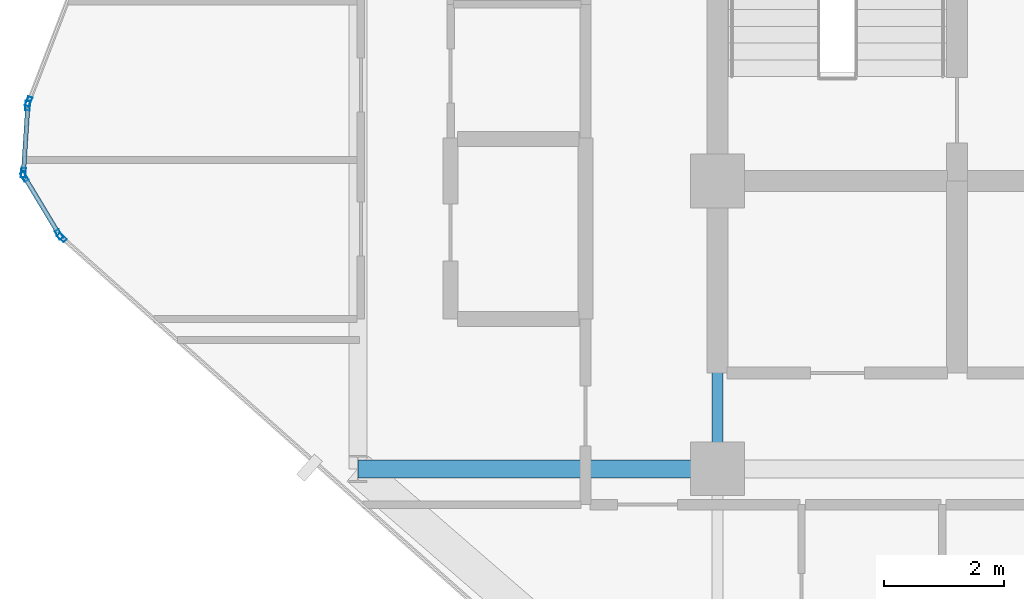
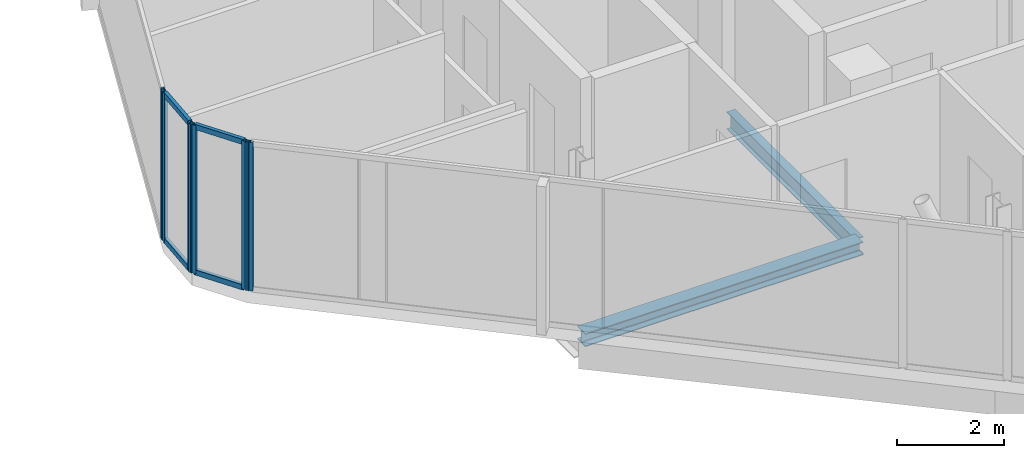
# One storey, part 8 of 29: 10 members, 2 beams, 4 elements without a shape of their own.
"""IFC4 building model written with IfcOpenShell, lengths in metres."""

from ifc_helpers import new_model, si_unit, direction, frame, origin, origin_2d, place, context, subcontext, project, spatial, hollow_rectangle, i_section, extrude, material, layer, layer_set, material_profile, profile_set, type_object, element, aggregate, save


model = new_model("IFC4")

# Units and contexts
model_context = context("Model", 3, precision=1e-05, world=origin(), true_north=direction((0.0, 1.0)))
body_context = subcontext(model_context, "Body", "Model", "MODEL_VIEW")
ifc_project = project(units=[si_unit("LENGTHUNIT", "METRE"), si_unit("AREAUNIT", "SQUARE_METRE"), si_unit("VOLUMEUNIT", "CUBIC_METRE"), si_unit("PLANEANGLEUNIT", "RADIAN"), si_unit("MASSUNIT", "GRAM", prefix="KILO")], contexts=[model_context])

# Site, building, storey
site_placement = place(None, origin())
site = spatial("IfcSite", under=ifc_project, at=site_placement, CompositionType="ELEMENT")
building_placement = place(site_placement, origin())
building = spatial("IfcBuilding", under=site, at=building_placement, Name="Keshet Zoharim Tower", CompositionType="ELEMENT")
storey_placement = place(building_placement, frame((0.0, 0.0, 172.800048828125)))
storey = spatial("IfcBuildingStorey", under=building, at=storey_placement, Name="L42", CompositionType="ELEMENT", Elevation=172.800048828125)

# Beams
ifc_material_1 = material(Name="Steel S355", Category="steel")
ifc_material_profile_1 = material_profile(ifc_material_1, i_section(OverallWidth=0.300048828125, OverallDepth=0.300048828125, WebThickness=0.010986328125, FlangeThickness=0.01904296875, FilletRadius=0.027099609375, at=origin_2d()), Name="HEB300")
ifc_profile_set_1 = profile_set([ifc_material_profile_1], Name="Steel S355")
beam_type_1 = type_object("IfcBeamType", Name="BM-PRI-HB300", PredefinedType="BEAM", material=ifc_profile_set_1)
beam_1_placement = place(storey_placement, frame((9.0, 17.89990234375, -0.4599609375), z_axis=(1.0, 0.0, 0.0), x_axis=(0.0, 1.0, 0.0)))
element("IfcBeam", 1, at=beam_1_placement, inside=storey, type_object=beam_type_1, Name="L42 Primary Girder X-011", PredefinedType="BEAM", context=body_context, shape_type="SweptSolid", body=[
    extrude(i_section(OverallWidth=0.300048828125, OverallDepth=0.300048828125, WebThickness=0.010986328125, FlangeThickness=0.01904296875, FilletRadius=0.027099609375, at=origin_2d()), origin(), (0.0, 0.0, 1.0), 6.0),
])
ifc_material_profile_2 = material_profile(ifc_material_1, i_section(OverallWidth=0.179931640625, OverallDepth=0.39990234375, WebThickness=0.008544921875, FlangeThickness=0.013427734375, FilletRadius=0.02099609375, at=origin_2d()), Name="IPE400")
ifc_profile_set_2 = profile_set([ifc_material_profile_2], Name="Steel S355")
beam_type_2 = type_object("IfcBeamType", Name="BM-PRI-IP400", PredefinedType="BEAM", material=ifc_profile_set_2)
beam_2_placement = place(storey_placement, frame((15.0, 17.89990234375, -0.510009765625), z_axis=(0.0, 1.0, 0.0), x_axis=(-1.0, 0.0, 0.0)))
element("IfcBeam", 2, at=beam_2_placement, inside=storey, type_object=beam_type_2, Name="L42 Primary Girder Y-003", PredefinedType="BEAM", context=body_context, shape_type="SweptSolid", body=[
    extrude(i_section(OverallWidth=0.179931640625, OverallDepth=0.39990234375, WebThickness=0.008544921875, FlangeThickness=0.013427734375, FilletRadius=0.02099609375, at=origin_2d()), origin(), (0.0, 0.0, 1.0), 4.800048828125),
])

# Curtain wall, member
ifc_material_2 = material(Name="Aluminium 6063-T6", Category="aluminium")
ifc_layer = layer(ifc_material_2, 0.139892578125)
ifc_layer_set = layer_set([ifc_layer], Name="Aluminium 6063-T6")
curtain_wall_type = type_object("IfcCurtainWallType", Name="CW-SYS-05", PredefinedType="NOTDEFINED", material=ifc_layer_set)
curtain_wall_1_placement = place(storey_placement, origin())
curtain_wall_1 = element("IfcCurtainWall", 3, at=curtain_wall_1_placement, inside=storey, type_object=curtain_wall_type, Name="L42 Unitised Curtain Wall 10 Part 3", PredefinedType="NOTDEFINED")
ifc_material_profile_3 = material_profile(ifc_material_2, hollow_rectangle(XDim=0.074951171875, YDim=0.159912109375, WallThickness=0.00390625, at=origin_2d()), Name="MUL-75x160")
ifc_profile_set_3 = profile_set([ifc_material_profile_3], Name="Aluminium 6063-T6")
member_type_1 = type_object("IfcMemberType", Name="CWM-M15", PredefinedType="MULLION", material=ifc_profile_set_3)
member_1_placement = place(storey_placement, frame((4.061279296875, 21.7568359375, 0.0), z_axis=(0.0, 0.0, 1.0), x_axis=(-0.664366823013, -0.747406666066, 0.0)))
member_1 = element("IfcMember", 4, at=member_1_placement, type_object=member_type_1, Name="CW-05 mullion 2", PredefinedType="MULLION", context=body_context, shape_type="SweptSolid", body=[
    extrude(hollow_rectangle(XDim=0.074951171875, YDim=0.159912109375, WallThickness=0.00390625, at=origin_2d()), origin(), (0.0, 0.0, 1.0), 3.389892578125),
])
aggregate(curtain_wall_1, [member_1])

# Curtain wall, members
curtain_wall_2_placement = place(storey_placement, origin())
curtain_wall_2 = element("IfcCurtainWall", 5, at=curtain_wall_2_placement, inside=storey, type_object=curtain_wall_type, Name="L42 Unitised Curtain Wall 11", PredefinedType="NOTDEFINED")
member_2_placement = place(storey_placement, frame((4.016845703125, 21.81005859375, 0.0), z_axis=(0.0, 0.0, 1.0), x_axis=(-0.856826433805, -0.515604947933, 0.0)))
member_2 = element("IfcMember", 6, at=member_2_placement, type_object=member_type_1, Name="CW-05 mullion 1", PredefinedType="MULLION", context=body_context, shape_type="SweptSolid", body=[
    extrude(hollow_rectangle(XDim=0.074951171875, YDim=0.159912109375, WallThickness=0.00390625, at=origin_2d()), origin(), (0.0, 0.0, 1.0), 3.389892578125),
])
member_3_placement = place(storey_placement, frame((3.43798828125, 22.77197265625, 0.0), z_axis=(0.0, 0.0, 1.0), x_axis=(-0.856826433805, -0.515604947933, 0.0)))
member_3 = element("IfcMember", 7, at=member_3_placement, type_object=member_type_1, Name="CW-05 mullion 2", PredefinedType="MULLION", context=body_context, shape_type="SweptSolid", body=[
    extrude(hollow_rectangle(XDim=0.074951171875, YDim=0.159912109375, WallThickness=0.00390625, at=origin_2d()), origin(), (0.0, 0.0, 1.0), 3.389892578125),
])

curtain_wall_3_placement = place(storey_placement, origin())
curtain_wall_3 = element("IfcCurtainWall", 8, at=curtain_wall_3_placement, inside=storey, type_object=curtain_wall_type, Name="L42 Unitised Curtain Wall 12", PredefinedType="NOTDEFINED")
member_4_placement = place(storey_placement, frame((3.42236328125, 22.8369140625, 0.0), z_axis=(0.0, 0.0, 1.0), x_axis=(-0.997916617186, 0.064516859374, 0.0)))
member_4 = element("IfcMember", 9, at=member_4_placement, type_object=member_type_1, Name="CW-05 mullion 1", PredefinedType="MULLION", context=body_context, shape_type="SweptSolid", body=[
    extrude(hollow_rectangle(XDim=0.074951171875, YDim=0.159912109375, WallThickness=0.00390625, at=origin_2d()), origin(), (0.0, 0.0, 1.0), 3.389892578125),
])
member_5_placement = place(storey_placement, frame((3.49462890625, 23.9580078125, 0.0), z_axis=(0.0, 0.0, 1.0), x_axis=(-0.997916617186, 0.064516859374, 0.0)))
member_5 = element("IfcMember", 10, at=member_5_placement, type_object=member_type_1, Name="CW-05 mullion 2", PredefinedType="MULLION", context=body_context, shape_type="SweptSolid", body=[
    extrude(hollow_rectangle(XDim=0.074951171875, YDim=0.159912109375, WallThickness=0.00390625, at=origin_2d()), origin(), (0.0, 0.0, 1.0), 3.389892578125),
])

# Curtain wall, member
curtain_wall_4_placement = place(storey_placement, origin())
curtain_wall_4 = element("IfcCurtainWall", 11, at=curtain_wall_4_placement, inside=storey, type_object=curtain_wall_type, Name="L42 Unitised Curtain Wall 13", PredefinedType="NOTDEFINED")
member_6_placement = place(storey_placement, frame((3.509521484375, 24.025634765625, 0.0), z_axis=(0.0, 0.0, 1.0), x_axis=(-0.933341404361, 0.358990003907, 0.0)))
member_6 = element("IfcMember", 12, at=member_6_placement, type_object=member_type_1, Name="CW-05 mullion 1", PredefinedType="MULLION", context=body_context, shape_type="SweptSolid", body=[
    extrude(hollow_rectangle(XDim=0.074951171875, YDim=0.159912109375, WallThickness=0.00390625, at=origin_2d()), origin(), (0.0, 0.0, 1.0), 3.389892578125),
])
aggregate(curtain_wall_4, [member_6])

# Member
ifc_material_profile_4 = material_profile(ifc_material_2, hollow_rectangle(XDim=0.074951171875, YDim=0.1201171875, WallThickness=0.00390625, at=origin_2d()), Name="TRN-75x120")
ifc_profile_set_4 = profile_set([ifc_material_profile_4], Name="Aluminium 6063-T6")
member_type_2 = type_object("IfcMemberType", Name="CWT-T12", PredefinedType="USERDEFINED", material=ifc_profile_set_4)
member_7_placement = place(storey_placement, frame((3.9990234375, 21.840087890625, 0.034912109375), z_axis=(-0.515791194107, 0.856714330499, 0.0), x_axis=(-0.856714330499, -0.515791194107, 0.0)))
member_7 = element("IfcMember", 13, at=member_7_placement, type_object=member_type_2, Name="CW-05 transom 1.1", ObjectType="TRANSOM", PredefinedType="USERDEFINED", context=body_context, shape_type="SweptSolid", body=[
    extrude(hollow_rectangle(XDim=0.074951171875, YDim=0.1201171875, WallThickness=0.00390625, at=origin_2d()), origin(), (0.0, 0.0, 1.0), 1.052734375),
])

member_8_placement = place(storey_placement, frame((3.9990234375, 21.840087890625, 3.35498046875), z_axis=(-0.515791194107, 0.856714330499, 0.0), x_axis=(-0.856714330499, -0.515791194107, 0.0)))
member_8 = element("IfcMember", 14, at=member_8_placement, type_object=member_type_2, Name="CW-05 transom 1.2", ObjectType="TRANSOM", PredefinedType="USERDEFINED", context=body_context, shape_type="SweptSolid", body=[
    extrude(hollow_rectangle(XDim=0.074951171875, YDim=0.1201171875, WallThickness=0.00390625, at=origin_2d()), origin(), (0.0, 0.0, 1.0), 1.052734375),
])

aggregate(curtain_wall_2, [member_2, member_3, member_7, member_8])

member_9_placement = place(storey_placement, frame((3.424560546875, 22.871826171875, 0.034912109375), z_axis=(0.064426947155, 0.997922426083, 0.0), x_axis=(-0.997922426083, 0.064426947155, 0.0)))
member_9 = element("IfcMember", 15, at=member_9_placement, type_object=member_type_2, Name="CW-05 transom 1.1", ObjectType="TRANSOM", PredefinedType="USERDEFINED", context=body_context, shape_type="SweptSolid", body=[
    extrude(hollow_rectangle(XDim=0.074951171875, YDim=0.1201171875, WallThickness=0.00390625, at=origin_2d()), origin(), (0.0, 0.0, 1.0), 1.053466796875),
])

member_10_placement = place(storey_placement, frame((3.424560546875, 22.871826171875, 3.35498046875), z_axis=(0.064426947155, 0.997922426083, 0.0), x_axis=(-0.997922426083, 0.064426947155, 0.0)))
member_10 = element("IfcMember", 16, at=member_10_placement, type_object=member_type_2, Name="CW-05 transom 1.2", ObjectType="TRANSOM", PredefinedType="USERDEFINED", context=body_context, shape_type="SweptSolid", body=[
    extrude(hollow_rectangle(XDim=0.074951171875, YDim=0.1201171875, WallThickness=0.00390625, at=origin_2d()), origin(), (0.0, 0.0, 1.0), 1.053466796875),
])

aggregate(curtain_wall_3, [member_4, member_5, member_9, member_10])

save(model, "model.ifc")
